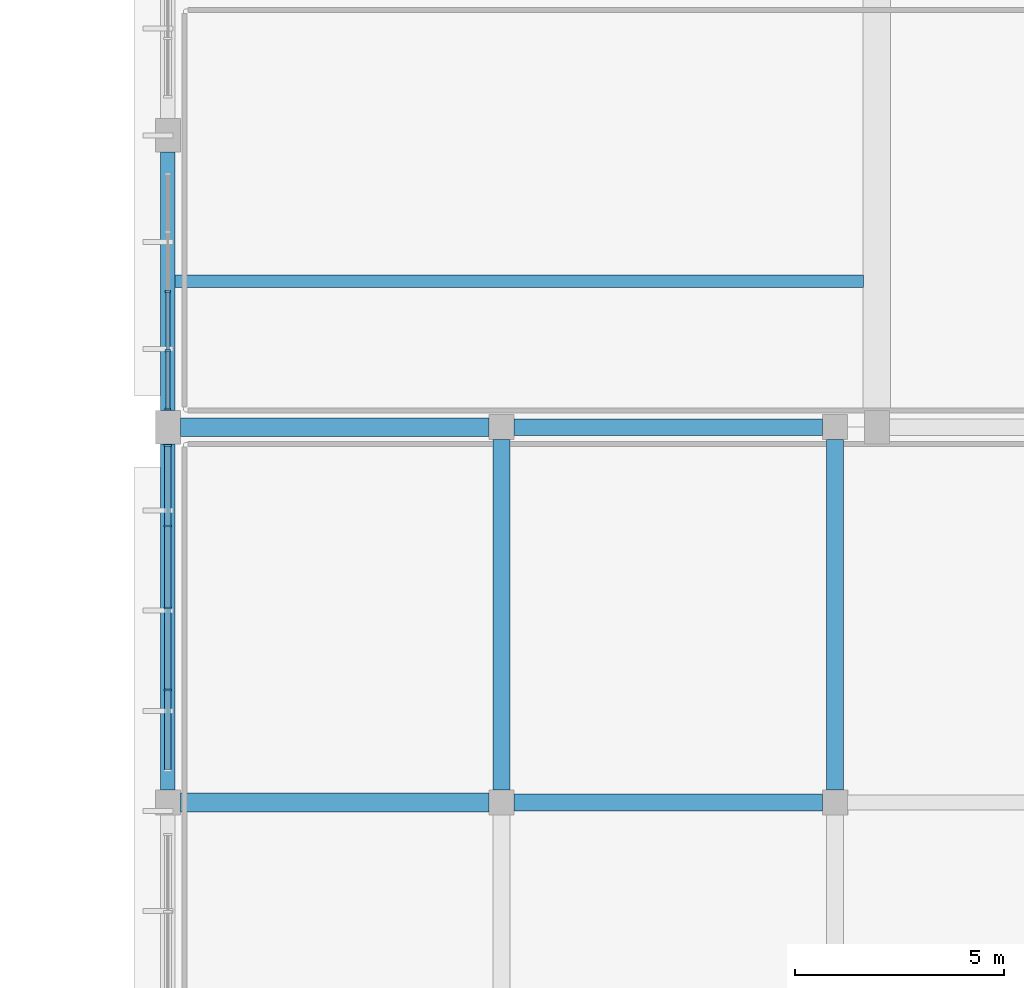
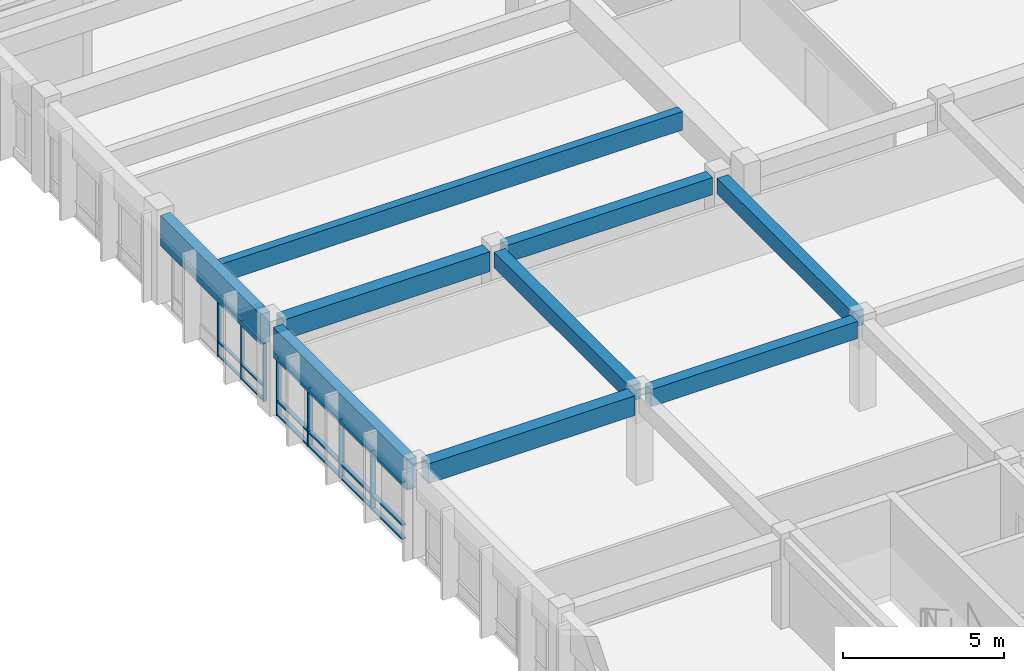
# One storey, part 13 of 155: 25 members, 9 beams, 2 elements without a shape of their own.
"""IFC4 building model written with IfcOpenShell, lengths in metres."""

from ifc_helpers import new_model, si_unit, direction, frame, origin, origin_2d, place, context, subcontext, project, spatial, rectangle, extrude, material, material_profile, profile_set, type_object, element, aggregate, save


model = new_model("IFC4")

# Units and contexts
model_context = context("Model", 3, precision=1e-05, world=origin(), true_north=direction((0.0, 1.0)))
body_context = subcontext(model_context, "Body", "Model", "MODEL_VIEW")
ifc_project = project(units=[si_unit("LENGTHUNIT", "METRE"), si_unit("AREAUNIT", "SQUARE_METRE"), si_unit("VOLUMEUNIT", "CUBIC_METRE"), si_unit("PLANEANGLEUNIT", "RADIAN"), si_unit("MASSUNIT", "GRAM", prefix="KILO")], contexts=[model_context])

# Site, building, storey
site_placement = place(None, origin())
site = spatial("IfcSite", under=ifc_project, at=site_placement, CompositionType="ELEMENT")
building_placement = place(site_placement, origin())
building = spatial("IfcBuilding", under=site, at=building_placement, Name="Larkveld Mobility Hub", CompositionType="ELEMENT")
storey_placement = place(building_placement, frame((0.0, 0.0, 8.39990234375)))
storey = spatial("IfcBuildingStorey", under=building, at=storey_placement, Name="L02", CompositionType="ELEMENT", Elevation=8.39990234375)

# Beams
ifc_material_1 = material(Name="Precast concrete C50/60", Category="concrete")
ifc_material_profile_1 = material_profile(ifc_material_1, rectangle(XDim=0.300048828125, YDim=0.699951171875, at=origin_2d()), Name="PC DT 300x700")
ifc_profile_set_1 = profile_set([ifc_material_profile_1], Name="Precast concrete C50/60")
beam_type_1 = type_object("IfcBeamType", Name="BM-DT3070", PredefinedType="T_BEAM", material=ifc_profile_set_1)
beam_1_placement = place(storey_placement, frame((112.169921875, 31.5, 3.02001953125), z_axis=(1.0, 0.0, 0.0), x_axis=(0.0, 1.0, 0.0)))
element("IfcBeam", 1, at=beam_1_placement, inside=storey, type_object=beam_type_1, Name="Precast Double-Tee Stem L02-1082", PredefinedType="T_BEAM", context=body_context, shape_type="SweptSolid", body=[
    extrude(rectangle(XDim=0.300048828125, YDim=0.699951171875, at=origin_2d()), origin(), (0.0, 0.0, 1.0), 16.510009765625),
])
ifc_material_2 = material(Name="Concrete C40/50", Category="concrete")
ifc_material_profile_2 = material_profile(ifc_material_2, rectangle(XDim=0.39990234375, YDim=0.60009765625, at=origin_2d()), Name="RC BM 400x600")
ifc_profile_set_2 = profile_set([ifc_material_profile_2], Name="Concrete C40/50")
beam_type_2 = type_object("IfcBeamType", Name="BM-RC4060", PredefinedType="BEAM", material=ifc_profile_set_2)
for number, where, z_axis, x_axis, name in (
    (2, (120.0, 19.300048828125, 3.06005859375), (0.0, 1.0, 0.0), (-1.0, 0.0, 0.0), "Primary N-S Girder L02-0640"),
    (3, (128.0, 19.300048828125, 3.06005859375), (0.0, 1.0, 0.0), (-1.0, 0.0, 0.0), "Primary N-S Girder L02-0643"),
):
    element("IfcBeam", number, at=place(storey_placement, frame(where, z_axis=z_axis, x_axis=x_axis)), inside=storey, type_object=beam_type_2, Name=name, PredefinedType="BEAM", context=body_context, shape_type="SweptSolid", body=[
        extrude(rectangle(XDim=0.39990234375, YDim=0.60009765625, at=origin_2d()), origin(), (0.0, 0.0, 1.0), 8.39990234375),
    ])
ifc_material_profile_3 = material_profile(ifc_material_2, rectangle(XDim=0.39990234375, YDim=0.64990234375, at=origin_2d()), Name="RC BM 400x650")
ifc_profile_set_3 = profile_set([ifc_material_profile_3], Name="Concrete C40/50")
beam_type_3 = type_object("IfcBeamType", Name="BM-RC4065", PredefinedType="BEAM", material=ifc_profile_set_3)
for number, where, z_axis, x_axis, name in (
    (4, (120.300048828125, 19.0, 3.03515625), (1.0, 0.0, 0.0), (0.0, 1.0, 0.0), "Primary E-W Girder L02-0499"),
    (5, (120.300048828125, 28.0, 3.03515625), (1.0, 0.0, 0.0), (0.0, 1.0, 0.0), "Primary E-W Girder L02-0506"),
):
    element("IfcBeam", number, at=place(storey_placement, frame(where, z_axis=z_axis, x_axis=x_axis)), inside=storey, type_object=beam_type_3, Name=name, PredefinedType="BEAM", context=body_context, shape_type="SweptSolid", body=[
        extrude(rectangle(XDim=0.39990234375, YDim=0.64990234375, at=origin_2d()), origin(), (0.0, 0.0, 1.0), 7.39990234375),
    ])
ifc_material_profile_4 = material_profile(ifc_material_2, rectangle(XDim=0.449951171875, YDim=0.75, at=origin_2d()), Name="RC BM 450x750")
ifc_profile_set_4 = profile_set([ifc_material_profile_4], Name="Concrete C40/50")
beam_type_4 = type_object("IfcBeamType", Name="BM-RC4575", PredefinedType="BEAM", material=ifc_profile_set_4)
for number, where, z_axis, x_axis, name in (
    (6, (112.300048828125, 19.0, 2.985107421875), (1.0, 0.0, 0.0), (0.0, 1.0, 0.0), "Primary E-W Girder L02-0498"),
    (7, (112.300048828125, 28.0, 2.985107421875), (1.0, 0.0, 0.0), (0.0, 1.0, 0.0), "Primary E-W Girder L02-0505"),
):
    element("IfcBeam", number, at=place(storey_placement, frame(where, z_axis=z_axis, x_axis=x_axis)), inside=storey, type_object=beam_type_4, Name=name, PredefinedType="BEAM", context=body_context, shape_type="SweptSolid", body=[
        extrude(rectangle(XDim=0.449951171875, YDim=0.75, at=origin_2d()), origin(), (0.0, 0.0, 1.0), 7.39990234375),
    ])
ifc_material_profile_5 = material_profile(ifc_material_1, rectangle(XDim=0.35009765625, YDim=1.14990234375, at=origin_2d()), Name="PC SP 350x1150")
ifc_profile_set_5 = profile_set([ifc_material_profile_5], Name="Precast concrete C50/60")
beam_type_5 = type_object("IfcBeamType", Name="BM-SP35115", PredefinedType="SPANDREL", material=ifc_profile_set_5)
beam_2_placement = place(storey_placement, frame((112.0, 19.300048828125, 2.78515625), z_axis=(0.0, 1.0, 0.0), x_axis=(-1.0, 0.0, 0.0)))
element("IfcBeam", 8, at=beam_2_placement, inside=storey, type_object=beam_type_5, Name="Primary N-S Girder L02-0625", PredefinedType="SPANDREL", context=body_context, shape_type="SweptSolid", body=[
    extrude(rectangle(XDim=0.35009765625, YDim=1.14990234375, at=origin_2d()), origin(), (0.0, 0.0, 1.0), 8.300048828125),
])
beam_3_placement = place(storey_placement, frame((112.0, 28.39990234375, 2.78515625), z_axis=(0.0, 1.0, 0.0), x_axis=(-1.0, 0.0, 0.0)))
element("IfcBeam", 9, at=beam_3_placement, inside=storey, type_object=beam_type_5, Name="Primary N-S Girder L02-0626", PredefinedType="SPANDREL", context=body_context, shape_type="SweptSolid", body=[
    extrude(rectangle(XDim=0.35009765625, YDim=1.14990234375, at=origin_2d()), origin(), (0.0, 0.0, 1.0), 6.2001953125),
])

# Curtain wall, members
ifc_material_3 = material(Name="Anodised aluminium 6063-T6", Category="aluminium")
curtain_wall_type_1 = type_object("IfcCurtainWallType", Name="CW-SYS-02", PredefinedType="NOTDEFINED", material=ifc_material_3)
curtain_wall_1_placement = place(storey_placement, origin())
curtain_wall_1 = element("IfcCurtainWall", 10, at=curtain_wall_1_placement, inside=storey, type_object=curtain_wall_type_1, Name="Public Passage East Service Facade L02 CW-110", PredefinedType="NOTDEFINED")
ifc_material_profile_6 = material_profile(ifc_material_3, rectangle(XDim=0.050048828125, YDim=0.179931640625, at=origin_2d()), Name="ALU MULL 50x180")
ifc_profile_set_6 = profile_set([ifc_material_profile_6], Name="Anodised aluminium 6063-T6")
member_type_1 = type_object("IfcMemberType", Name="CW-MUL-02", PredefinedType="MULLION", material=ifc_profile_set_6)
member_1_placement = place(storey_placement, frame((112.0, 27.56494140625, -0.001953125), z_axis=(0.0, 0.0, 1.0), x_axis=(0.0, -1.0, 0.0)))
member_1 = element("IfcMember", 11, at=member_1_placement, type_object=member_type_1, Name="CW02 mullion 1", PredefinedType="MULLION", context=body_context, shape_type="SweptSolid", body=[
    extrude(rectangle(XDim=0.050048828125, YDim=0.179931640625, at=origin_2d()), origin(), (0.0, 0.0, 1.0), 2.212158203125),
])
member_2_placement = place(storey_placement, frame((112.0, 25.6279296875, -0.001953125), z_axis=(0.0, 0.0, 1.0), x_axis=(0.0, -1.0, 0.0)))
member_2 = element("IfcMember", 12, at=member_2_placement, type_object=member_type_1, Name="CW02 mullion 2", PredefinedType="MULLION", context=body_context, shape_type="SweptSolid", body=[
    extrude(rectangle(XDim=0.050048828125, YDim=0.179931640625, at=origin_2d()), origin(), (0.0, 0.0, 1.0), 2.212158203125),
])
member_3_placement = place(storey_placement, frame((112.0, 23.6650390625, -0.001953125), z_axis=(0.0, 0.0, 1.0), x_axis=(0.0, -1.0, 0.0)))
member_3 = element("IfcMember", 13, at=member_3_placement, type_object=member_type_1, Name="CW02 mullion 3", PredefinedType="MULLION", context=body_context, shape_type="SweptSolid", body=[
    extrude(rectangle(XDim=0.050048828125, YDim=0.179931640625, at=origin_2d()), origin(), (0.0, 0.0, 1.0), 2.212158203125),
])
member_4_placement = place(storey_placement, frame((112.0, 21.702880859375, -0.001953125), z_axis=(0.0, 0.0, 1.0), x_axis=(0.0, -1.0, 0.0)))
member_4 = element("IfcMember", 14, at=member_4_placement, type_object=member_type_1, Name="CW02 mullion 4", PredefinedType="MULLION", context=body_context, shape_type="SweptSolid", body=[
    extrude(rectangle(XDim=0.050048828125, YDim=0.179931640625, at=origin_2d()), origin(), (0.0, 0.0, 1.0), 2.212158203125),
])

curtain_wall_type_2 = type_object("IfcCurtainWallType", Name="CW-SYS-04", PredefinedType="NOTDEFINED", material=ifc_material_3)
curtain_wall_2_placement = place(storey_placement, origin())
curtain_wall_2 = element("IfcCurtainWall", 15, at=curtain_wall_2_placement, inside=storey, type_object=curtain_wall_type_2, Name="EV Wing West Glazing L02 CW-136", PredefinedType="NOTDEFINED")
ifc_material_profile_7 = material_profile(ifc_material_3, rectangle(XDim=0.050048828125, YDim=0.1298828125, at=origin_2d()), Name="ALU MULL 50x130")
ifc_profile_set_7 = profile_set([ifc_material_profile_7], Name="Anodised aluminium 6063-T6")
member_type_2 = type_object("IfcMemberType", Name="CW-MUL-04", PredefinedType="MULLION", material=ifc_profile_set_7)
member_5_placement = place(storey_placement, frame((112.0, 31.2548828125, -0.001953125), z_axis=(0.0, 0.0, 1.0), x_axis=(0.0, -1.0, 0.0)))
member_5 = element("IfcMember", 16, at=member_5_placement, type_object=member_type_2, Name="CW04 mullion 3", PredefinedType="MULLION", context=body_context, shape_type="SweptSolid", body=[
    extrude(rectangle(XDim=0.050048828125, YDim=0.1298828125, at=origin_2d()), origin(), (0.0, 0.0, 1.0), 2.212158203125),
])
member_6_placement = place(storey_placement, frame((112.0, 29.8330078125, -0.001953125), z_axis=(0.0, 0.0, 1.0), x_axis=(0.0, -1.0, 0.0)))
member_6 = element("IfcMember", 17, at=member_6_placement, type_object=member_type_2, Name="CW04 mullion 4", PredefinedType="MULLION", context=body_context, shape_type="SweptSolid", body=[
    extrude(rectangle(XDim=0.050048828125, YDim=0.1298828125, at=origin_2d()), origin(), (0.0, 0.0, 1.0), 2.212158203125),
])
member_7_placement = place(storey_placement, frame((112.0, 28.43505859375, -0.001953125), z_axis=(0.0, 0.0, 1.0), x_axis=(0.0, -1.0, 0.0)))
member_7 = element("IfcMember", 18, at=member_7_placement, type_object=member_type_2, Name="CW04 mullion 5", PredefinedType="MULLION", context=body_context, shape_type="SweptSolid", body=[
    extrude(rectangle(XDim=0.050048828125, YDim=0.1298828125, at=origin_2d()), origin(), (0.0, 0.0, 1.0), 2.212158203125),
])

# Member
ifc_material_profile_8 = material_profile(ifc_material_3, rectangle(XDim=0.14990234375, YDim=0.050048828125, at=origin_2d()), Name="ALU TRAN 50x150")
ifc_profile_set_8 = profile_set([ifc_material_profile_8], Name="Anodised aluminium 6063-T6")
member_type_3 = type_object("IfcMemberType", Name="CW-TRN-02", PredefinedType="USERDEFINED", material=ifc_profile_set_8)
member_8_placement = place(storey_placement, frame((112.0, 27.554931640625, 0.030029296875), z_axis=(0.0, -1.0, 0.0), x_axis=(1.0, 0.0, 0.0)))
member_8 = element("IfcMember", 19, at=member_8_placement, type_object=member_type_3, Name="CW02 transom 1.1", ObjectType="TRANSOM", PredefinedType="USERDEFINED", context=body_context, shape_type="SweptSolid", body=[
    extrude(rectangle(XDim=0.14990234375, YDim=0.050048828125, at=origin_2d()), origin(), (0.0, 0.0, 1.0), 1.912841796875),
])

member_9_placement = place(storey_placement, frame((112.0, 27.554931640625, 0.552001953125), z_axis=(0.0, -1.0, 0.0), x_axis=(1.0, 0.0, 0.0)))
member_9 = element("IfcMember", 20, at=member_9_placement, type_object=member_type_3, Name="CW02 transom 1.2", ObjectType="TRANSOM", PredefinedType="USERDEFINED", context=body_context, shape_type="SweptSolid", body=[
    extrude(rectangle(XDim=0.14990234375, YDim=0.050048828125, at=origin_2d()), origin(), (0.0, 0.0, 1.0), 1.912841796875),
])

member_10_placement = place(storey_placement, frame((112.0, 27.554931640625, 2.177978515625), z_axis=(0.0, -1.0, 0.0), x_axis=(1.0, 0.0, 0.0)))
member_10 = element("IfcMember", 21, at=member_10_placement, type_object=member_type_3, Name="CW02 transom 1.3", ObjectType="TRANSOM", PredefinedType="USERDEFINED", context=body_context, shape_type="SweptSolid", body=[
    extrude(rectangle(XDim=0.14990234375, YDim=0.050048828125, at=origin_2d()), origin(), (0.0, 0.0, 1.0), 1.912841796875),
])

member_11_placement = place(storey_placement, frame((112.0, 25.613037109375, 0.030029296875), z_axis=(0.0, -1.0, 0.0), x_axis=(1.0, 0.0, 0.0)))
member_11 = element("IfcMember", 22, at=member_11_placement, type_object=member_type_3, Name="CW02 transom 2.1", ObjectType="TRANSOM", PredefinedType="USERDEFINED", context=body_context, shape_type="SweptSolid", body=[
    extrude(rectangle(XDim=0.14990234375, YDim=0.050048828125, at=origin_2d()), origin(), (0.0, 0.0, 1.0), 1.93310546875),
])

member_12_placement = place(storey_placement, frame((112.0, 25.613037109375, 0.552001953125), z_axis=(0.0, -1.0, 0.0), x_axis=(1.0, 0.0, 0.0)))
member_12 = element("IfcMember", 23, at=member_12_placement, type_object=member_type_3, Name="CW02 transom 2.2", ObjectType="TRANSOM", PredefinedType="USERDEFINED", context=body_context, shape_type="SweptSolid", body=[
    extrude(rectangle(XDim=0.14990234375, YDim=0.050048828125, at=origin_2d()), origin(), (0.0, 0.0, 1.0), 1.93310546875),
])

member_13_placement = place(storey_placement, frame((112.0, 25.613037109375, 2.177978515625), z_axis=(0.0, -1.0, 0.0), x_axis=(1.0, 0.0, 0.0)))
member_13 = element("IfcMember", 24, at=member_13_placement, type_object=member_type_3, Name="CW02 transom 2.3", ObjectType="TRANSOM", PredefinedType="USERDEFINED", context=body_context, shape_type="SweptSolid", body=[
    extrude(rectangle(XDim=0.14990234375, YDim=0.050048828125, at=origin_2d()), origin(), (0.0, 0.0, 1.0), 1.93310546875),
])

member_14_placement = place(storey_placement, frame((112.0, 23.64990234375, 0.030029296875), z_axis=(0.0, -1.0, 0.0), x_axis=(1.0, 0.0, 0.0)))
member_14 = element("IfcMember", 25, at=member_14_placement, type_object=member_type_3, Name="CW02 transom 3.1", ObjectType="TRANSOM", PredefinedType="USERDEFINED", context=body_context, shape_type="SweptSolid", body=[
    extrude(rectangle(XDim=0.14990234375, YDim=0.050048828125, at=origin_2d()), origin(), (0.0, 0.0, 1.0), 1.931884765625),
])

member_15_placement = place(storey_placement, frame((112.0, 23.64990234375, 0.552001953125), z_axis=(0.0, -1.0, 0.0), x_axis=(1.0, 0.0, 0.0)))
member_15 = element("IfcMember", 26, at=member_15_placement, type_object=member_type_3, Name="CW02 transom 3.2", ObjectType="TRANSOM", PredefinedType="USERDEFINED", context=body_context, shape_type="SweptSolid", body=[
    extrude(rectangle(XDim=0.14990234375, YDim=0.050048828125, at=origin_2d()), origin(), (0.0, 0.0, 1.0), 1.931884765625),
])

member_16_placement = place(storey_placement, frame((112.0, 23.64990234375, 2.177978515625), z_axis=(0.0, -1.0, 0.0), x_axis=(1.0, 0.0, 0.0)))
member_16 = element("IfcMember", 27, at=member_16_placement, type_object=member_type_3, Name="CW02 transom 3.3", ObjectType="TRANSOM", PredefinedType="USERDEFINED", context=body_context, shape_type="SweptSolid", body=[
    extrude(rectangle(XDim=0.14990234375, YDim=0.050048828125, at=origin_2d()), origin(), (0.0, 0.0, 1.0), 1.931884765625),
])

member_17_placement = place(storey_placement, frame((112.0, 21.68798828125, 0.030029296875), z_axis=(0.0, -1.0, 0.0), x_axis=(1.0, 0.0, 0.0)))
member_17 = element("IfcMember", 28, at=member_17_placement, type_object=member_type_3, Name="CW02 transom 4.1", ObjectType="TRANSOM", PredefinedType="USERDEFINED", context=body_context, shape_type="SweptSolid", body=[
    extrude(rectangle(XDim=0.14990234375, YDim=0.050048828125, at=origin_2d()), origin(), (0.0, 0.0, 1.0), 1.9130859375),
])

member_18_placement = place(storey_placement, frame((112.0, 21.68798828125, 0.552001953125), z_axis=(0.0, -1.0, 0.0), x_axis=(1.0, 0.0, 0.0)))
member_18 = element("IfcMember", 29, at=member_18_placement, type_object=member_type_3, Name="CW02 transom 4.2", ObjectType="TRANSOM", PredefinedType="USERDEFINED", context=body_context, shape_type="SweptSolid", body=[
    extrude(rectangle(XDim=0.14990234375, YDim=0.050048828125, at=origin_2d()), origin(), (0.0, 0.0, 1.0), 1.9130859375),
])

member_19_placement = place(storey_placement, frame((112.0, 21.68798828125, 2.177978515625), z_axis=(0.0, -1.0, 0.0), x_axis=(1.0, 0.0, 0.0)))
member_19 = element("IfcMember", 30, at=member_19_placement, type_object=member_type_3, Name="CW02 transom 4.3", ObjectType="TRANSOM", PredefinedType="USERDEFINED", context=body_context, shape_type="SweptSolid", body=[
    extrude(rectangle(XDim=0.14990234375, YDim=0.050048828125, at=origin_2d()), origin(), (0.0, 0.0, 1.0), 1.9130859375),
])

aggregate(curtain_wall_1, [member_1, member_2, member_3, member_4, member_8, member_9, member_10, member_11, member_12, member_13, member_14, member_15, member_16, member_17, member_18, member_19])

ifc_material_profile_9 = material_profile(ifc_material_3, rectangle(XDim=0.10009765625, YDim=0.050048828125, at=origin_2d()), Name="ALU TRAN 50x100")
ifc_profile_set_9 = profile_set([ifc_material_profile_9], Name="Anodised aluminium 6063-T6")
member_type_4 = type_object("IfcMemberType", Name="CW-TRN-04", PredefinedType="USERDEFINED", material=ifc_profile_set_9)
member_20_placement = place(storey_placement, frame((112.0, 31.239990234375, 0.030029296875), z_axis=(0.0, -1.0, 0.0), x_axis=(1.0, 0.0, 0.0)))
member_20 = element("IfcMember", 31, at=member_20_placement, type_object=member_type_4, Name="CW04 transom 3.1", ObjectType="TRANSOM", PredefinedType="USERDEFINED", context=body_context, shape_type="SweptSolid", body=[
    extrude(rectangle(XDim=0.10009765625, YDim=0.050048828125, at=origin_2d()), origin(), (0.0, 0.0, 1.0), 1.39208984375),
])

member_21_placement = place(storey_placement, frame((112.0, 31.239990234375, 0.552001953125), z_axis=(0.0, -1.0, 0.0), x_axis=(1.0, 0.0, 0.0)))
member_21 = element("IfcMember", 32, at=member_21_placement, type_object=member_type_4, Name="CW04 transom 3.2", ObjectType="TRANSOM", PredefinedType="USERDEFINED", context=body_context, shape_type="SweptSolid", body=[
    extrude(rectangle(XDim=0.10009765625, YDim=0.050048828125, at=origin_2d()), origin(), (0.0, 0.0, 1.0), 1.39208984375),
])

member_22_placement = place(storey_placement, frame((112.0, 31.239990234375, 2.177978515625), z_axis=(0.0, -1.0, 0.0), x_axis=(1.0, 0.0, 0.0)))
member_22 = element("IfcMember", 33, at=member_22_placement, type_object=member_type_4, Name="CW04 transom 3.3", ObjectType="TRANSOM", PredefinedType="USERDEFINED", context=body_context, shape_type="SweptSolid", body=[
    extrude(rectangle(XDim=0.10009765625, YDim=0.050048828125, at=origin_2d()), origin(), (0.0, 0.0, 1.0), 1.39208984375),
])

member_23_placement = place(storey_placement, frame((112.0, 29.818115234375, 0.030029296875), z_axis=(0.0, -1.0, 0.0), x_axis=(1.0, 0.0, 0.0)))
member_23 = element("IfcMember", 34, at=member_23_placement, type_object=member_type_4, Name="CW04 transom 4.1", ObjectType="TRANSOM", PredefinedType="USERDEFINED", context=body_context, shape_type="SweptSolid", body=[
    extrude(rectangle(XDim=0.10009765625, YDim=0.050048828125, at=origin_2d()), origin(), (0.0, 0.0, 1.0), 1.373046875),
])

member_24_placement = place(storey_placement, frame((112.0, 29.818115234375, 0.552001953125), z_axis=(0.0, -1.0, 0.0), x_axis=(1.0, 0.0, 0.0)))
member_24 = element("IfcMember", 35, at=member_24_placement, type_object=member_type_4, Name="CW04 transom 4.2", ObjectType="TRANSOM", PredefinedType="USERDEFINED", context=body_context, shape_type="SweptSolid", body=[
    extrude(rectangle(XDim=0.10009765625, YDim=0.050048828125, at=origin_2d()), origin(), (0.0, 0.0, 1.0), 1.373046875),
])

member_25_placement = place(storey_placement, frame((112.0, 29.818115234375, 2.177978515625), z_axis=(0.0, -1.0, 0.0), x_axis=(1.0, 0.0, 0.0)))
member_25 = element("IfcMember", 36, at=member_25_placement, type_object=member_type_4, Name="CW04 transom 4.3", ObjectType="TRANSOM", PredefinedType="USERDEFINED", context=body_context, shape_type="SweptSolid", body=[
    extrude(rectangle(XDim=0.10009765625, YDim=0.050048828125, at=origin_2d()), origin(), (0.0, 0.0, 1.0), 1.373046875),
])

aggregate(curtain_wall_2, [member_5, member_6, member_7, member_20, member_21, member_22, member_23, member_24, member_25])

save(model, "model.ifc")
